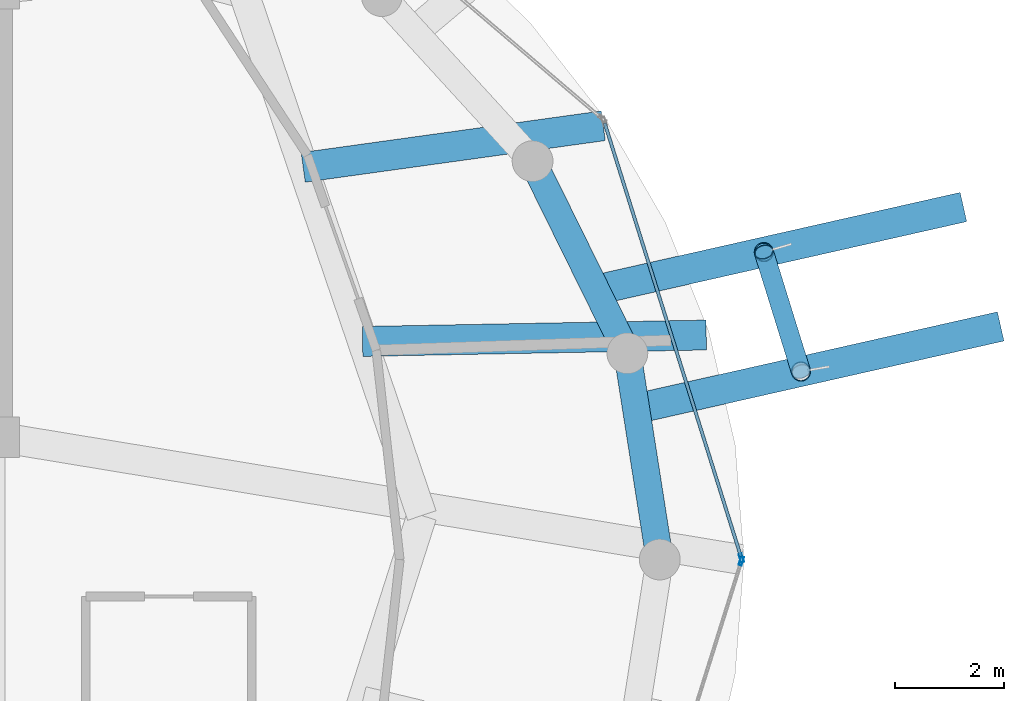
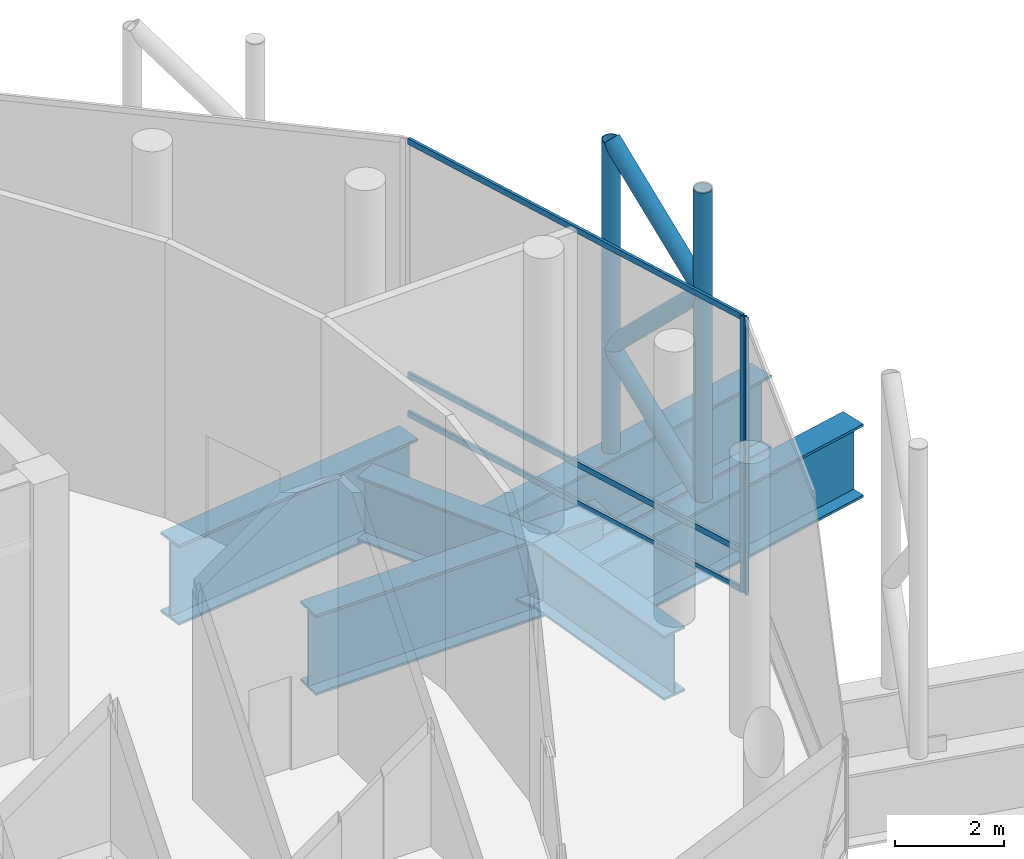
# One storey, part 16 of 26: 10 members, 6 beams, 2 elements without a shape of their own.
"""IFC4 building model written with IfcOpenShell, lengths in metres."""

from ifc_helpers import new_model, si_unit, direction, frame, origin, origin_2d, place, context, subcontext, project, spatial, hollow_rectangle, hollow_circle, i_section, extrude, material, layer, layer_set, material_profile, profile_set, type_object, element, aggregate, save


model = new_model("IFC4")

# Units and contexts
model_context = context("Model", 3, precision=1e-05, world=origin(), true_north=direction((0.0, 1.0)))
body_context = subcontext(model_context, "Body", "Model", "MODEL_VIEW")
ifc_project = project(units=[si_unit("LENGTHUNIT", "METRE"), si_unit("AREAUNIT", "SQUARE_METRE"), si_unit("VOLUMEUNIT", "CUBIC_METRE"), si_unit("PLANEANGLEUNIT", "RADIAN"), si_unit("MASSUNIT", "GRAM", prefix="KILO")], contexts=[model_context])

# Site, building, storey
site_placement = place(None, origin())
site = spatial("IfcSite", under=ifc_project, at=site_placement, CompositionType="ELEMENT")
building_placement = place(site_placement, origin())
building = spatial("IfcBuilding", under=site, at=building_placement, Name="Nuhasar Tower", CompositionType="ELEMENT")
storey_placement = place(building_placement, frame((0.0, 0.0, 306.800048828125)))
storey = spatial("IfcBuildingStorey", under=building, at=storey_placement, Name="L76", CompositionType="ELEMENT", Elevation=306.800048828125)

# Beams
ifc_material_1 = material(Name="Steel S460", Category="steel")
ifc_material_profile_1 = material_profile(ifc_material_1, i_section(OverallWidth=0.5, OverallDepth=1.449951171875, WebThickness=0.028076171875, FlangeThickness=0.050048828125, at=origin_2d()), Name="PG1450X500")
ifc_profile_set_1 = profile_set([ifc_material_profile_1], Name="Steel S460")
beam_type_1 = type_object("IfcBeamType", Name="BM-XFER-PG1450", PredefinedType="USERDEFINED", material=ifc_profile_set_1)
beam_1_placement = place(storey_placement, frame((56.449951171875, 26.800048828125, -1.074951171875), z_axis=(-0.155005502158, 0.987913606699, 0.0), x_axis=(-0.987913606699, -0.155005502158, 0.0)))
element("IfcBeam", 1, at=beam_1_placement, inside=storey, type_object=beam_type_1, Name="L76 Perimeter Ring Spandrel 01", ObjectType="GIRDER", PredefinedType="USERDEFINED", context=body_context, shape_type="SweptSolid", body=[
    extrude(i_section(OverallWidth=0.5, OverallDepth=1.449951171875, WebThickness=0.028076171875, FlangeThickness=0.050048828125, at=origin_2d()), origin(), (0.0, 0.0, 1.0), 3.83837890625),
])
beam_2_placement = place(storey_placement, frame((55.85498046875, 30.592041015625, -1.074951171875), z_axis=(-0.442422907363, 0.896806540476, 0.0), x_axis=(-0.896806540476, -0.442422907363, 0.0)))
element("IfcBeam", 2, at=beam_2_placement, inside=storey, type_object=beam_type_1, Name="L76 Perimeter Ring Spandrel 02", ObjectType="GIRDER", PredefinedType="USERDEFINED", context=body_context, shape_type="SweptSolid", body=[
    extrude(i_section(OverallWidth=0.5, OverallDepth=1.449951171875, WebThickness=0.028076171875, FlangeThickness=0.050048828125, at=origin_2d()), origin(), (0.0, 0.0, 1.0), 3.939453125),
])
ifc_material_profile_2 = material_profile(ifc_material_1, i_section(OverallWidth=0.550048828125, OverallDepth=1.64990234375, WebThickness=0.031982421875, FlangeThickness=0.054931640625, at=origin_2d()), Name="PG1650X550")
ifc_profile_set_2 = profile_set([ifc_material_profile_2], Name="Steel S460")
beam_type_2 = type_object("IfcBeamType", Name="BM-XFER-PG1650", PredefinedType="USERDEFINED", material=ifc_profile_set_2)
beam_3_placement = place(storey_placement, frame((56.014892578125, 29.572998046875, -1.175048828125), z_axis=(0.975461927636, 0.220168180564, 0.0), x_axis=(-0.220168180564, 0.975461927636, 0.0)))
element("IfcBeam", 3, at=beam_3_placement, inside=storey, type_object=beam_type_2, Name="L76 Exoskeleton Step Transfer Girder 01", ObjectType="GIRDER", PredefinedType="USERDEFINED", context=body_context, shape_type="SweptSolid", body=[
    extrude(i_section(OverallWidth=0.550048828125, OverallDepth=1.64990234375, WebThickness=0.031982421875, FlangeThickness=0.054931640625, at=origin_2d()), origin(), (0.0, 0.0, 1.0), 6.871826171875),
])
beam_4_placement = place(storey_placement, frame((55.280029296875, 31.757080078125, -1.175048828125), z_axis=(0.975469835371, 0.220133142169, 0.0), x_axis=(-0.220133142169, 0.975469835371, 0.0)))
element("IfcBeam", 4, at=beam_4_placement, inside=storey, type_object=beam_type_2, Name="L76 Exoskeleton Step Transfer Girder 02", ObjectType="GIRDER", PredefinedType="USERDEFINED", context=body_context, shape_type="SweptSolid", body=[
    extrude(i_section(OverallWidth=0.550048828125, OverallDepth=1.64990234375, WebThickness=0.031982421875, FlangeThickness=0.054931640625, at=origin_2d()), origin(), (0.0, 0.0, 1.0), 6.9228515625),
])
ifc_material_profile_3 = material_profile(ifc_material_1, i_section(OverallWidth=0.550048828125, OverallDepth=1.800048828125, WebThickness=0.031982421875, FlangeThickness=0.054931640625, at=origin_2d()), Name="PG1800X550")
ifc_profile_set_3 = profile_set([ifc_material_profile_3], Name="Steel S460")
beam_type_3 = type_object("IfcBeamType", Name="BM-XFER-PG1800", PredefinedType="USERDEFINED", material=ifc_profile_set_3)
beam_5_placement = place(storey_placement, frame((50.986083984375, 30.81005859375, -1.25), z_axis=(0.999825863666, 0.018661252498, 0.0), x_axis=(-0.018661252498, 0.999825863666, 0.0)))
element("IfcBeam", 5, at=beam_5_placement, inside=storey, type_object=beam_type_3, Name="L76 Inner Column Transfer Girder 02", ObjectType="GIRDER", PredefinedType="USERDEFINED", context=body_context, shape_type="SweptSolid", body=[
    extrude(i_section(OverallWidth=0.550048828125, OverallDepth=1.800048828125, WebThickness=0.031982421875, FlangeThickness=0.054931640625, at=origin_2d()), origin(), (0.0, 0.0, 1.0), 6.319091796875),
])
beam_6_placement = place(storey_placement, frame((49.89501953125, 34.010009765625, -1.25), z_axis=(0.990521622398, 0.137356891204, 0.0), x_axis=(-0.137356891204, 0.990521622398, 0.0)))
element("IfcBeam", 6, at=beam_6_placement, inside=storey, type_object=beam_type_3, Name="L76 Inner Column Transfer Girder 03", ObjectType="GIRDER", PredefinedType="USERDEFINED", context=body_context, shape_type="SweptSolid", body=[
    extrude(i_section(OverallWidth=0.550048828125, OverallDepth=1.800048828125, WebThickness=0.031982421875, FlangeThickness=0.054931640625, at=origin_2d()), origin(), (0.0, 0.0, 1.0), 5.568603515625),
])

# Curtain wall, member
ifc_material_2 = material(Name="Aluminium 6063-T6", Category="aluminium")
ifc_layer = layer(ifc_material_2, 0.239990234375)
ifc_layer_set = layer_set([ifc_layer], Name="Aluminium 6063-T6")
curtain_wall_type = type_object("IfcCurtainWallType", Name="CW-SKY-LBY", PredefinedType="NOTDEFINED", material=ifc_layer_set)
curtain_wall_1_placement = place(storey_placement, origin())
curtain_wall_1 = element("IfcCurtainWall", 7, at=curtain_wall_1_placement, inside=storey, type_object=curtain_wall_type, Name="L76 Unitised Curtain Wall 01", PredefinedType="NOTDEFINED")
ifc_material_profile_4 = material_profile(ifc_material_2, hollow_rectangle(XDim=0.06005859375, YDim=0.159912109375, WallThickness=0.0048828125, at=origin_2d()), Name="CWM-6")
ifc_profile_set_4 = profile_set([ifc_material_profile_4], Name="Aluminium 6063-T6")
member_type_1 = type_object("IfcMemberType", Name="CW-MUL-S6", PredefinedType="MULLION", material=ifc_profile_set_4)
member_1_placement = place(storey_placement, frame((57.950927734375, 26.82861328125, 0.0), z_axis=(0.0, 0.0, 1.0), x_axis=(-0.953974417341, -0.299887997525, 0.0)))
member_1 = element("IfcMember", 8, at=member_1_placement, type_object=member_type_1, Name="CW-SL mullion 1", PredefinedType="MULLION", context=body_context, shape_type="SweptSolid", body=[
    extrude(hollow_rectangle(XDim=0.06005859375, YDim=0.159912109375, WallThickness=0.0048828125, at=origin_2d()), origin(), (0.0, 0.0, 1.0), 6.179931640625),
])

curtain_wall_2_placement = place(storey_placement, origin())
curtain_wall_2 = element("IfcCurtainWall", 9, at=curtain_wall_2_placement, inside=storey, type_object=curtain_wall_type, Name="L76 Unitised Curtain Wall 12", PredefinedType="NOTDEFINED")
member_2_placement = place(storey_placement, frame((57.950927734375, 26.771484375, 0.0), z_axis=(0.0, 0.0, 1.0), x_axis=(-0.953974417341, 0.299887997525, 0.0)))
member_2 = element("IfcMember", 10, at=member_2_placement, type_object=member_type_1, Name="CW-SL mullion 2", PredefinedType="MULLION", context=body_context, shape_type="SweptSolid", body=[
    extrude(hollow_rectangle(XDim=0.06005859375, YDim=0.159912109375, WallThickness=0.0048828125, at=origin_2d()), origin(), (0.0, 0.0, 1.0), 6.179931640625),
])
aggregate(curtain_wall_2, [member_2])

# Member
ifc_material_profile_5 = material_profile(ifc_material_2, hollow_rectangle(XDim=0.06005859375, YDim=0.1298828125, WallThickness=0.00439453125, at=origin_2d()), Name="CWT-6")
ifc_profile_set_5 = profile_set([ifc_material_profile_5], Name="Aluminium 6063-T6")
member_type_2 = type_object("IfcMemberType", Name="CW-TRN-S6", PredefinedType="USERDEFINED", material=ifc_profile_set_5)
member_3_placement = place(storey_placement, frame((57.94189453125, 26.857177734375, 0.030029296875), z_axis=(-0.299874495209, 0.953978661776, 0.0), x_axis=(-0.953978661776, -0.299874495209, 0.0)))
member_3 = element("IfcMember", 11, at=member_3_placement, type_object=member_type_2, Name="CW-SL transom 1.1", ObjectType="TRANSOM", PredefinedType="USERDEFINED", context=body_context, shape_type="SweptSolid", body=[
    extrude(hollow_rectangle(XDim=0.06005859375, YDim=0.1298828125, WallThickness=0.00439453125, at=origin_2d()), origin(), (0.0, 0.0, 1.0), 8.349853515625),
])

member_4_placement = place(storey_placement, frame((57.94189453125, 26.857177734375, 0.89990234375), z_axis=(-0.299874495209, 0.953978661776, 0.0), x_axis=(-0.953978661776, -0.299874495209, 0.0)))
member_4 = element("IfcMember", 12, at=member_4_placement, type_object=member_type_2, Name="CW-SL transom 1.2", ObjectType="TRANSOM", PredefinedType="USERDEFINED", context=body_context, shape_type="SweptSolid", body=[
    extrude(hollow_rectangle(XDim=0.06005859375, YDim=0.1298828125, WallThickness=0.00439453125, at=origin_2d()), origin(), (0.0, 0.0, 1.0), 8.349853515625),
])

member_5_placement = place(storey_placement, frame((57.94189453125, 26.857177734375, 6.14990234375), z_axis=(-0.299874495209, 0.953978661776, 0.0), x_axis=(-0.953978661776, -0.299874495209, 0.0)))
member_5 = element("IfcMember", 13, at=member_5_placement, type_object=member_type_2, Name="CW-SL transom 1.3", ObjectType="TRANSOM", PredefinedType="USERDEFINED", context=body_context, shape_type="SweptSolid", body=[
    extrude(hollow_rectangle(XDim=0.06005859375, YDim=0.1298828125, WallThickness=0.00439453125, at=origin_2d()), origin(), (0.0, 0.0, 1.0), 8.349853515625),
])

aggregate(curtain_wall_1, [member_1, member_3, member_4, member_5])

# Members
ifc_material_profile_6 = material_profile(ifc_material_1, hollow_circle(Radius=0.177734375, WallThickness=0.015869140625, at=origin_2d()), Name="HSS355.6X15.9")
ifc_profile_set_6 = profile_set([ifc_material_profile_6], Name="Steel S460")
member_type_3 = type_object("IfcMemberType", Name="EXO-BRONZE-356", PredefinedType="BRACE", material=ifc_profile_set_6)
for number, where, z_axis, x_axis, name in (
    (14, (59.0458984375, 30.257080078125, -0.35009765625), (0.0, 0.0, 1.0), (1.0, 0.0, 0.0), "L76 Exoskeleton Chord Column EC-01A"),
    (15, (58.364013671875, 32.452880859375, -0.35009765625), (0.0, 0.0, 1.0), (1.0, 0.0, 0.0), "L76 Exoskeleton Chord Column EC-01B"),
):
    element("IfcMember", number, at=place(storey_placement, frame(where, z_axis=z_axis, x_axis=x_axis)), inside=storey, type_object=member_type_3, Name=name, PredefinedType="BRACE", context=body_context, shape_type="SweptSolid", body=[
        extrude(hollow_circle(Radius=0.177734375, WallThickness=0.015869140625, at=origin_2d()), origin(), (0.0, 0.0, 1.0), 6.949951171875),
    ])
member_6_placement = place(storey_placement, frame((59.0458984375, 30.257080078125, -0.35009765625), z_axis=(-0.208891720833, 0.672671728312, 0.709842936781), x_axis=(-0.955011260379, -0.296569540832, 0.0)))
element("IfcMember", 16, at=member_6_placement, inside=storey, type_object=member_type_3, Name="L76 Bronze Diagrid Brace W1-01", PredefinedType="BRACE", context=body_context, shape_type="SweptSolid", body=[
    extrude(hollow_circle(Radius=0.177734375, WallThickness=0.015869140625, at=origin_2d()), origin(), (0.0, 0.0, 1.0), 3.264404296875),
])
member_7_placement = place(storey_placement, frame((58.364013671875, 32.452880859375, 1.967041015625), z_axis=(0.20894717859, -0.672850313011, 0.709657334803), x_axis=(0.955011260379, 0.296569540832, 0.0)))
element("IfcMember", 17, at=member_7_placement, inside=storey, type_object=member_type_3, Name="L76 Bronze Diagrid Brace W2-01", PredefinedType="BRACE", context=body_context, shape_type="SweptSolid", body=[
    extrude(hollow_circle(Radius=0.177734375, WallThickness=0.015869140625, at=origin_2d()), origin(), (0.0, 0.0, 1.0), 3.263427734375),
])
member_8_placement = place(storey_placement, frame((59.0458984375, 30.257080078125, 4.282958984375), z_axis=(-0.208902811189, 0.672707441402, 0.709805828209), x_axis=(-0.955011260379, -0.296569540832, 0.0)))
element("IfcMember", 18, at=member_8_placement, inside=storey, type_object=member_type_3, Name="L76 Bronze Diagrid Brace W3-01", PredefinedType="BRACE", context=body_context, shape_type="SweptSolid", body=[
    extrude(hollow_circle(Radius=0.177734375, WallThickness=0.015869140625, at=origin_2d()), origin(), (0.0, 0.0, 1.0), 3.26416015625),
])

save(model, "model.ifc")
